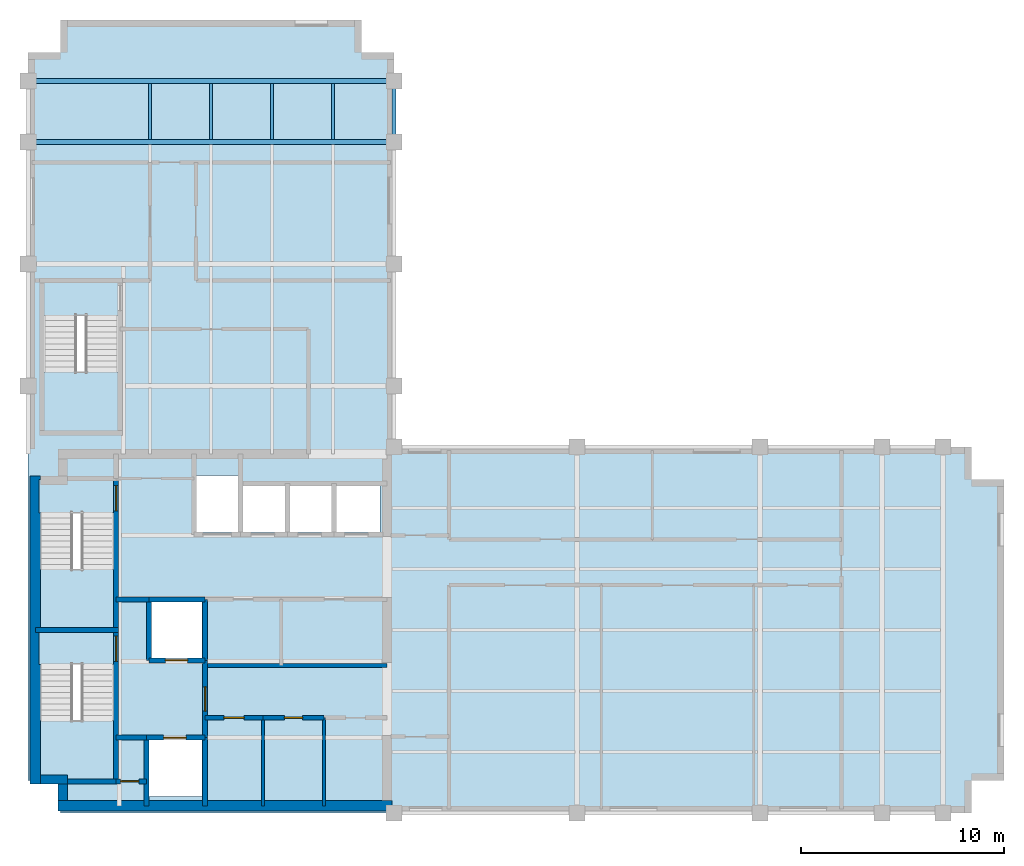
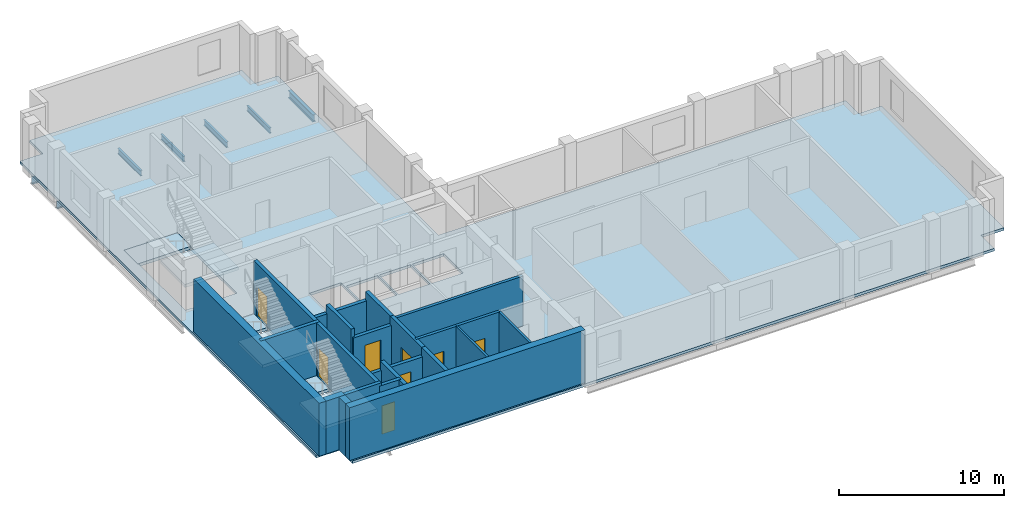
# One storey, part 2 of 6: 24 walls, 8 doors, 7 beams, 7 slabs, 8 openings, 3 elements without a shape of their own.
"""IFC4 building model written with IfcOpenShell, lengths in metres."""

from ifc_helpers import new_model, si_unit, direction, frame, frame_2d, origin, origin_2d, place, context, subcontext, project, spatial, polyline, rectangle, i_section, outline, extrude, material, layer, layer_set, material_profile, profile_set, type_object, element, fill, aggregate, save


model = new_model("IFC4")

# Units and contexts
model_context = context("Model", 3, precision=1e-05, world=origin(), true_north=direction((0.0, 1.0)))
body_context = subcontext(model_context, "Body", "Model", "MODEL_VIEW")
ifc_project = project(units=[si_unit("LENGTHUNIT", "METRE"), si_unit("AREAUNIT", "SQUARE_METRE"), si_unit("VOLUMEUNIT", "CUBIC_METRE"), si_unit("PLANEANGLEUNIT", "RADIAN"), si_unit("MASSUNIT", "GRAM", prefix="KILO")], contexts=[model_context])

# Site, building, storey
site_placement = place(None, origin())
site = spatial("IfcSite", under=ifc_project, at=site_placement, CompositionType="ELEMENT")
building_placement = place(site_placement, origin())
building = spatial("IfcBuilding", under=site, at=building_placement, Name="Mawjdan Bourse Tower", CompositionType="ELEMENT")
storey_placement = place(building_placement, frame((0.0, 0.0, 246.89990234375)))
storey = spatial("IfcBuildingStorey", under=building, at=storey_placement, Name="L60", CompositionType="ELEMENT", Elevation=246.89990234375)

# Beams
ifc_material_1 = material(Name="Structural Steel S355", Category="steel")
ifc_material_profile_1 = material_profile(ifc_material_1, i_section(OverallWidth=0.22998046875, OverallDepth=0.616943359375, WebThickness=0.01318359375, FlangeThickness=0.022216796875, FilletRadius=0.017822265625, at=origin_2d()), Name="W24X94")
ifc_profile_set_1 = profile_set([ifc_material_profile_1], Name="Structural Steel S355")
beam_type_1 = type_object("IfcBeamType", Name="GRD-W24X94", PredefinedType="BEAM", material=ifc_profile_set_1)
for number, where, z_axis, x_axis, name in (
    (1, (6.0, 36.0, -0.50830078125), (1.0, 0.0, 0.0), (0.0, 1.0, 0.0), "L60 North Wing Clear-Span Girder 041"),
    (2, (6.0, 39.0, -0.50830078125), (1.0, 0.0, 0.0), (0.0, 1.0, 0.0), "L60 North Wing Clear-Span Girder 042"),
):
    element("IfcBeam", number, at=place(storey_placement, frame(where, z_axis=z_axis, x_axis=x_axis)), inside=storey, type_object=beam_type_1, Name=name, PredefinedType="BEAM", context=body_context, shape_type="SweptSolid", body=[
        extrude(i_section(OverallWidth=0.22998046875, OverallDepth=0.616943359375, WebThickness=0.01318359375, FlangeThickness=0.022216796875, FilletRadius=0.017822265625, at=origin_2d()), origin(), (0.0, 0.0, 1.0), 18.0),
    ])
ifc_material_profile_2 = material_profile(ifc_material_1, i_section(OverallWidth=0.139892578125, OverallDepth=0.404052734375, WebThickness=0.007080078125, FlangeThickness=0.01123046875, FilletRadius=0.009033203125, at=origin_2d()), Name="W16X31")
ifc_profile_set_2 = profile_set([ifc_material_profile_2], Name="Structural Steel S355")
beam_type_2 = type_object("IfcBeamType", Name="JST-W16X31", PredefinedType="JOIST", material=ifc_profile_set_2)
for number, where, z_axis, x_axis, name in (
    (3, (12.0, 36.113037109375, -0.40185546875), (0.0, 1.0, 0.0), (-1.0, 0.0, 0.0), "L60 North Wing Composite Joist 054"),
    (4, (15.0, 36.113037109375, -0.40185546875), (0.0, 1.0, 0.0), (-1.0, 0.0, 0.0), "L60 North Wing Composite Joist 058"),
    (5, (18.0, 36.113037109375, -0.40185546875), (0.0, 1.0, 0.0), (-1.0, 0.0, 0.0), "L60 North Wing Composite Joist 062"),
    (6, (21.0, 36.113037109375, -0.40185546875), (0.0, 1.0, 0.0), (-1.0, 0.0, 0.0), "L60 North Wing Composite Joist 066"),
):
    element("IfcBeam", number, at=place(storey_placement, frame(where, z_axis=z_axis, x_axis=x_axis)), inside=storey, type_object=beam_type_2, Name=name, PredefinedType="JOIST", context=body_context, shape_type="SweptSolid", body=[
        extrude(i_section(OverallWidth=0.139892578125, OverallDepth=0.404052734375, WebThickness=0.007080078125, FlangeThickness=0.01123046875, FilletRadius=0.009033203125, at=origin_2d()), origin(), (0.0, 0.0, 1.0), 2.77392578125),
    ])
ifc_material_profile_3 = material_profile(ifc_material_1, i_section(OverallWidth=0.2099609375, OverallDepth=0.537109375, WebThickness=0.010986328125, FlangeThickness=0.017333984375, FilletRadius=0.013916015625, at=origin_2d()), Name="W21X68")
ifc_profile_set_3 = profile_set([ifc_material_profile_3], Name="Structural Steel S355")
beam_type_3 = type_object("IfcBeamType", Name="SPN-W21X68", PredefinedType="SPANDREL", material=ifc_profile_set_3)
beam_placement = place(storey_placement, frame((24.0, 36.0, -0.468505859375), z_axis=(0.0, 1.0, 0.0), x_axis=(-1.0, 0.0, 0.0)))
element("IfcBeam", 7, at=beam_placement, inside=storey, type_object=beam_type_3, Name="L60 North Wing Spandrel 050", PredefinedType="SPANDREL", context=body_context, shape_type="SweptSolid", body=[
    extrude(i_section(OverallWidth=0.2099609375, OverallDepth=0.537109375, WebThickness=0.010986328125, FlangeThickness=0.017333984375, FilletRadius=0.013916015625, at=origin_2d()), origin(), (0.0, 0.0, 1.0), 3.0),
])

# Stair, slabs
ifc_material_2 = material(Name="Concrete C50/60", Category="concrete")
stair_type = type_object("IfcStairType", Name="STR-CORE-1500", PredefinedType="HALF_TURN_STAIR", material=ifc_material_2)
stair_1_placement = place(storey_placement, origin())
stair_1 = element("IfcStair", 8, at=stair_1_placement, inside=storey, type_object=stair_type, Name="L60 Exit Stair 1 (Core South-West)", PredefinedType="HALF_TURN_STAIR")
ifc_layer_1 = layer(ifc_material_2, 0.22998046875)
ifc_layer_set_1 = layer_set([ifc_layer_1], Name="Concrete C50/60")
slab_type_1 = type_object("IfcSlabType", Name="SL-LND-230", PredefinedType="LANDING", material=ifc_layer_set_1)
slab_1_placement = place(storey_placement, frame((0.0, 0.0, -0.22998046875)))
slab_1 = element("IfcSlab", 9, at=slab_1_placement, type_object=slab_type_1, Name="ST1-L60 landing 1", PredefinedType="LANDING", context=body_context, shape_type="SweptSolid", body=[
    extrude(outline(polyline([(6.5400390625, 10.31005859375), (10.260009765625, 10.31005859375), (10.260009765625, 11.969970703125), (6.5400390625, 11.969970703125), (6.5400390625, 10.31005859375)])), origin(), (0.0, 0.0, 1.0), 0.22998046875),
])
slab_2_placement = place(storey_placement, frame((0.0, 0.0, 1.72021484375)))
slab_2 = element("IfcSlab", 10, at=slab_2_placement, type_object=slab_type_1, Name="ST1-L60 landing 2", PredefinedType="LANDING", context=body_context, shape_type="SweptSolid", body=[
    extrude(outline(polyline([(6.5400390625, 4.590087890625), (10.260009765625, 4.590087890625), (10.260009765625, 7.5400390625), (6.5400390625, 7.5400390625), (6.5400390625, 4.590087890625)])), origin(), (0.0, 0.0, 1.0), 0.22998046875),
])
aggregate(stair_1, [slab_1, slab_2])

stair_2_placement = place(storey_placement, origin())
stair_2 = element("IfcStair", 11, at=stair_2_placement, inside=storey, type_object=stair_type, Name="L60 Exit Stair 2 (Core North-West)", PredefinedType="HALF_TURN_STAIR")
slab_3_placement = place(storey_placement, frame((0.0, 0.0, -0.22998046875)))
slab_3 = element("IfcSlab", 12, at=slab_3_placement, type_object=slab_type_1, Name="ST2-L60 landing 1", PredefinedType="LANDING", context=body_context, shape_type="SweptSolid", body=[
    extrude(outline(polyline([(6.5400390625, 17.75), (10.260009765625, 17.75), (10.260009765625, 19.409912109375), (6.5400390625, 19.409912109375), (6.5400390625, 17.75)])), origin(), (0.0, 0.0, 1.0), 0.22998046875),
])
slab_4_placement = place(storey_placement, frame((0.0, 0.0, 1.72021484375)))
slab_4 = element("IfcSlab", 13, at=slab_4_placement, type_object=slab_type_1, Name="ST2-L60 landing 2", PredefinedType="LANDING", context=body_context, shape_type="SweptSolid", body=[
    extrude(outline(polyline([(6.5400390625, 12.030029296875), (10.260009765625, 12.030029296875), (10.260009765625, 14.97998046875), (6.5400390625, 14.97998046875), (6.5400390625, 12.030029296875)])), origin(), (0.0, 0.0, 1.0), 0.22998046875),
])
aggregate(stair_2, [slab_3, slab_4])

stair_3_placement = place(storey_placement, origin())
stair_3 = element("IfcStair", 14, at=stair_3_placement, inside=storey, type_object=stair_type, Name="L60 Exit Stair 3 (North Wing)", PredefinedType="HALF_TURN_STAIR")
slab_5_placement = place(storey_placement, frame((0.0, 0.0, -0.22998046875)))
slab_5 = element("IfcSlab", 15, at=slab_5_placement, type_object=slab_type_1, Name="ST3-L60 landing 1", PredefinedType="LANDING", context=body_context, shape_type="SweptSolid", body=[
    extrude(outline(polyline([(6.739990234375, 27.4599609375), (10.4599609375, 27.4599609375), (10.4599609375, 29.1201171875), (6.739990234375, 29.1201171875), (6.739990234375, 27.4599609375)])), origin(), (0.0, 0.0, 1.0), 0.22998046875),
])
slab_6_placement = place(storey_placement, frame((0.0, 0.0, 1.72021484375)))
slab_6 = element("IfcSlab", 16, at=slab_6_placement, type_object=slab_type_1, Name="ST3-L60 landing 2", PredefinedType="LANDING", context=body_context, shape_type="SweptSolid", body=[
    extrude(outline(polyline([(6.739990234375, 21.739990234375), (10.4599609375, 21.739990234375), (10.4599609375, 24.68994140625), (6.739990234375, 24.68994140625), (6.739990234375, 21.739990234375)])), origin(), (0.0, 0.0, 1.0), 0.22998046875),
])
aggregate(stair_3, [slab_5, slab_6])

# Slab
ifc_layer_2 = layer(ifc_material_2, 0.199951171875)
ifc_layer_set_2 = layer_set([ifc_layer_2], Name="Concrete C50/60")
slab_type_2 = type_object("IfcSlabType", Name="SL-OFC-200", PredefinedType="FLOOR", material=ifc_layer_set_2)
slab_7_placement = place(storey_placement, frame((0.0, 0.0, -0.199951171875)))
element("IfcSlab", 17, at=slab_7_placement, inside=storey, type_object=slab_type_2, Name="L60 Structural Floor Slab 1", PredefinedType="FLOOR", context=body_context, shape_type="SweptSolid", body=[
    extrude(outline(polyline([(7.60009765625, 3.0), (52.39990234375, 3.0), (52.39990234375, 4.60009765625), (54.0, 4.60009765625), (54.0, 19.39990234375), (52.39990234375, 19.39990234375), (52.39990234375, 21.0), (24.0, 21.0), (24.0, 40.39990234375), (22.39990234375, 40.39990234375), (22.39990234375, 42.0), (7.60009765625, 42.0), (7.60009765625, 40.39990234375), (6.0, 40.39990234375), (6.0, 4.60009765625), (7.60009765625, 4.60009765625), (7.60009765625, 3.0)]), holes=[polyline([(6.5400390625, 11.969970703125), (10.260009765625, 11.969970703125), (10.260009765625, 10.31005859375), (10.199951171875, 10.31005859375), (10.199951171875, 4.64990234375), (6.60009765625, 4.64990234375), (6.60009765625, 10.31005859375), (6.5400390625, 10.31005859375), (6.5400390625, 11.969970703125)]), polyline([(6.60009765625, 12.090087890625), (6.60009765625, 17.75), (6.5400390625, 17.75), (6.5400390625, 19.409912109375), (10.260009765625, 19.409912109375), (10.260009765625, 17.75), (10.199951171875, 17.75), (10.199951171875, 12.090087890625), (6.60009765625, 12.090087890625)]), polyline([(10.4599609375, 29.1201171875), (10.4599609375, 27.4599609375), (10.39990234375, 27.4599609375), (10.39990234375, 21.800048828125), (6.800048828125, 21.800048828125), (6.800048828125, 27.4599609375), (6.739990234375, 27.4599609375), (6.739990234375, 29.1201171875), (10.4599609375, 29.1201171875)]), polyline([(14.550048828125, 3.800048828125), (11.949951171875, 3.800048828125), (11.949951171875, 6.60009765625), (14.550048828125, 6.60009765625), (14.550048828125, 3.800048828125)]), polyline([(12.050048828125, 10.60009765625), (12.050048828125, 13.39990234375), (14.550048828125, 13.39990234375), (14.550048828125, 10.60009765625), (12.050048828125, 10.60009765625)]), polyline([(16.5, 16.800048828125), (16.5, 19.14990234375), (18.699951171875, 19.14990234375), (18.699951171875, 16.800048828125), (16.5, 16.800048828125)]), polyline([(21.0, 16.800048828125), (18.800048828125, 16.800048828125), (18.800048828125, 19.14990234375), (21.0, 19.14990234375), (21.0, 16.800048828125)]), polyline([(21.10009765625, 16.800048828125), (21.10009765625, 19.14990234375), (23.300048828125, 19.14990234375), (23.300048828125, 16.800048828125), (21.10009765625, 16.800048828125)]), polyline([(14.199951171875, 16.800048828125), (14.199951171875, 19.60009765625), (16.39990234375, 19.60009765625), (16.39990234375, 16.800048828125), (14.199951171875, 16.800048828125)])]), origin(), (0.0, 0.0, 1.0), 0.199951171875),
])

# Wall, opening, door
ifc_material_3 = material(Name="Gypsum Fireboard Assembly")
ifc_layer_3 = layer(ifc_material_3, 0.199951171875)
ifc_layer_set_3 = layer_set([ifc_layer_3], Name="Gypsum Fireboard Assembly")
wall_type_1 = type_object("IfcWallType", Name="WL-CMP-200", PredefinedType="PARTITIONING", material=ifc_layer_set_3)
wall_1_placement = place(storey_placement, frame((14.699951171875, 7.679931640625, 0.0), z_axis=(0.0, 0.0, 1.0), x_axis=(1.0, 0.0, 0.0)))
wall_1 = element("IfcWall", 18, at=wall_1_placement, inside=storey, type_object=wall_type_1, Name="L60 Archive & Records Office North Wall", PredefinedType="PARTITIONING", context=body_context, shape_type="SweptSolid", body=[
    extrude(rectangle(XDim=2.85009765625, YDim=0.199951171875, at=frame_2d((1.425048828125, 0.0))), origin(), (0.0, 0.0, 1.0), 3.690185546875),
])
opening_1_placement = place(wall_1_placement, frame((0.925048828125, 0.0, 0.0)))
opening_1 = element("IfcOpeningElement", 19, at=opening_1_placement, cuts=wall_1, Name="Opening D-L60-13", PredefinedType="OPENING", context=body_context, shape_type="SweptSolid", body=[
    extrude(rectangle(XDim=1.0, YDim=2.14990234375, at=frame_2d((0.5, 1.074951171875))), frame((0.0, 0.10986328125, 0.0), z_axis=(0.0, -1.0, 0.0), x_axis=(1.0, 0.0, 0.0)), (0.0, 0.0, 1.0), 0.219970703125),
])
ifc_material_4 = material(Name="Hardwood Acoustic Leaf", Category="wood")
door_type_1 = type_object("IfcDoorType", Name="DR-OFC-1000", OperationType="NOTDEFINED", PredefinedType="DOOR", material=ifc_material_4)
door_1_placement = place(opening_1_placement, origin())
door_1 = element("IfcDoor", 20, at=door_1_placement, inside=storey, type_object=door_type_1, Name="L60 Archive & Records Office Door D-L60-13", OperationType="SINGLE_SWING_LEFT", OverallHeight=2.14990234375, OverallWidth=1.0, PredefinedType="DOOR", context=body_context, shape_type="SweptSolid", body=[
    extrude(rectangle(XDim=1.0, YDim=2.14990234375, at=frame_2d((0.5, 1.074951171875))), frame((0.0, 0.02490234375, 0.0), z_axis=(0.0, -1.0, 0.0), x_axis=(1.0, 0.0, 0.0)), (0.0, 0.0, 1.0), 0.050048828125),
])
fill(opening_1, door_1)

wall_2_placement = place(storey_placement, frame((17.550048828125, 7.679931640625, 0.0), z_axis=(0.0, 0.0, 1.0), x_axis=(1.0, 0.0, 0.0)))
wall_2 = element("IfcWall", 21, at=wall_2_placement, inside=storey, type_object=wall_type_1, Name="L60 IT & Fiber Patch Room North Wall", PredefinedType="PARTITIONING", context=body_context, shape_type="SweptSolid", body=[
    extrude(rectangle(XDim=3.0, YDim=0.199951171875, at=frame_2d((1.5, 0.0))), origin(), (0.0, 0.0, 1.0), 3.690185546875),
])
opening_2_placement = place(wall_2_placement, frame((1.050048828125, 0.0, 0.0)))
opening_2 = element("IfcOpeningElement", 22, at=opening_2_placement, cuts=wall_2, Name="Opening D-L60-14", PredefinedType="OPENING", context=body_context, shape_type="SweptSolid", body=[
    extrude(rectangle(XDim=0.89990234375, YDim=2.10009765625, at=frame_2d((0.449951171875, 1.050048828125))), frame((0.0, 0.10986328125, 0.0), z_axis=(0.0, -1.0, 0.0), x_axis=(1.0, 0.0, 0.0)), (0.0, 0.0, 1.0), 0.219970703125),
])
ifc_material_5 = material(Name="Fire-Rated Steel Access Leaf", Category="steel")
door_type_2 = type_object("IfcDoorType", Name="FD-RSR-0900", OperationType="NOTDEFINED", PredefinedType="TRAPDOOR", material=ifc_material_5)
door_2_placement = place(opening_2_placement, origin())
door_2 = element("IfcDoor", 23, at=door_2_placement, inside=storey, type_object=door_type_2, Name="L60 IT & Fiber Patch Room Door D-L60-14", OperationType="SINGLE_SWING_RIGHT", OverallHeight=2.10009765625, OverallWidth=0.89990234375, PredefinedType="TRAPDOOR", context=body_context, shape_type="SweptSolid", body=[
    extrude(rectangle(XDim=0.89990234375, YDim=2.10009765625, at=frame_2d((0.449951171875, 1.050048828125))), frame((0.0, 0.02490234375, 0.0), z_axis=(0.0, -1.0, 0.0), x_axis=(1.0, 0.0, 0.0)), (0.0, 0.0, 1.0), 0.050048828125),
])
fill(opening_2, door_2)

# Walls
wall_3_placement = place(storey_placement, frame((14.824951171875, 10.25, 0.0), z_axis=(0.0, 0.0, 1.0), x_axis=(1.0, 0.0, 0.0)))
element("IfcWall", 24, at=wall_3_placement, inside=storey, type_object=wall_type_1, Name="L60 Core Restroom Suite South Wall", PredefinedType="PARTITIONING", context=body_context, shape_type="SweptSolid", body=[
    extrude(rectangle(XDim=8.824951171875, YDim=0.199951171875, at=frame_2d((4.41259765625, 0.0))), origin(), (0.0, 0.0, 1.0), 3.690185546875),
])
ifc_material_6 = material(Name="Concrete C60/75", Category="concrete")
ifc_layer_4 = layer(ifc_material_6, 0.449951171875)
ifc_layer_set_4 = layer_set([ifc_layer_4], Name="Concrete C60/75")
wall_type_2 = type_object("IfcWallType", Name="WL-CORE-450", PredefinedType="SHEAR", material=ifc_layer_set_4)
wall_4_placement = place(storey_placement, frame((6.60009765625, 4.64990234375, 0.0), z_axis=(0.0, 0.0, 1.0), x_axis=(1.0, 0.0, 0.0)))
element("IfcWall", 25, at=wall_4_placement, inside=storey, type_object=wall_type_2, Name="L60 Rear Core Shear Wall SW-X", PredefinedType="SHEAR", context=body_context, shape_type="SweptSolid", body=[
    extrude(rectangle(XDim=1.324951171875, YDim=0.449951171875, at=frame_2d((0.66259765625, 0.0))), origin(), (0.0, 0.0, 1.0), 3.900146484375),
])
wall_5_placement = place(storey_placement, frame((7.699951171875, 3.60009765625, 0.0), z_axis=(0.0, 0.0, 1.0), x_axis=(0.0, 1.0, 0.0)))
element("IfcWall", 26, at=wall_5_placement, inside=storey, type_object=wall_type_2, Name="L60 Rear Core Shear Wall SW-Y", PredefinedType="SHEAR", context=body_context, shape_type="SweptSolid", body=[
    extrude(rectangle(XDim=0.824951171875, YDim=0.449951171875, at=frame_2d((0.41259765625, 0.0))), origin(), (0.0, 0.0, 1.0), 3.900146484375),
])
ifc_layer_5 = layer(ifc_material_6, 0.5)
ifc_layer_set_5 = layer_set([ifc_layer_5], Name="Concrete C60/75")
wall_type_3 = type_object("IfcWallType", Name="WL-CORE-500", PredefinedType="SHEAR", material=ifc_layer_set_5)
wall_6_placement = place(storey_placement, frame((7.47509765625, 3.35009765625, 0.0), z_axis=(0.0, 0.0, 1.0), x_axis=(1.0, 0.0, 0.0)))
element("IfcWall", 27, at=wall_6_placement, inside=storey, type_object=wall_type_3, Name="L60 Rear Core Shear Wall S", PredefinedType="SHEAR", context=body_context, shape_type="SweptSolid", body=[
    extrude(rectangle(XDim=16.4248046875, YDim=0.5, at=frame_2d((8.21240234375, 0.0))), origin(), (0.0, 0.0, 1.0), 3.900146484375),
])
wall_7_placement = place(storey_placement, frame((6.35009765625, 4.425048828125, 0.0), z_axis=(0.0, 0.0, 1.0), x_axis=(0.0, 1.0, 0.0)))
element("IfcWall", 28, at=wall_7_placement, inside=storey, type_object=wall_type_3, Name="L60 Rear Core Shear Wall W", PredefinedType="SHEAR", context=body_context, shape_type="SweptSolid", body=[
    extrude(rectangle(XDim=15.14990234375, YDim=0.5, at=frame_2d((7.574951171875, 0.0))), origin(), (0.0, 0.0, 1.0), 3.900146484375),
])
ifc_material_7 = material(Name="Gypsum Acoustic Partition")
ifc_layer_6 = layer(ifc_material_7, 0.14990234375)
ifc_layer_set_6 = layer_set([ifc_layer_6], Name="Gypsum Acoustic Partition")
wall_type_4 = type_object("IfcWallType", Name="WL-PRT-150", PredefinedType="PARTITIONING", material=ifc_layer_set_6)
for number, where, z_axis, x_axis, name in (
    (29, (17.550048828125, 3.35009765625, 0.0), (0.0, 0.0, 1.0), (0.0, 1.0, 0.0), "L60 IT & Fiber Patch Room Core Split Wall"),
    (30, (20.550048828125, 3.35009765625, 0.0), (0.0, 0.0, 1.0), (0.0, 1.0, 0.0), "L60 Staff Tea Pantry Core Split Wall"),
):
    element("IfcWall", number, at=place(storey_placement, frame(where, z_axis=z_axis, x_axis=x_axis)), inside=storey, type_object=wall_type_4, Name=name, PredefinedType="PARTITIONING", context=body_context, shape_type="SweptSolid", body=[
        extrude(rectangle(XDim=4.329833984375, YDim=0.14990234375, at=frame_2d((2.1650390625, 0.0))), origin(), (0.0, 0.0, 1.0), 3.690185546875),
    ])

# Wall, opening, door
ifc_layer_7 = layer(ifc_material_2, 0.25)
ifc_layer_set_7 = layer_set([ifc_layer_7], Name="Concrete C50/60")
wall_type_5 = type_object("IfcWallType", Name="WL-SHFT-250", PredefinedType="PARTITIONING", material=ifc_layer_set_7)
wall_8_placement = place(storey_placement, frame((10.330078125, 4.550048828125, 0.0), z_axis=(0.0, 0.0, 1.0), x_axis=(1.0, 0.0, 0.0)))
wall_8 = element("IfcWall", 31, at=wall_8_placement, inside=storey, type_object=wall_type_5, Name="L60 SW Riser North Wall", PredefinedType="PARTITIONING", context=body_context, shape_type="SweptSolid", body=[
    extrude(rectangle(XDim=1.489990234375, YDim=0.25, at=frame_2d((0.7451171875, 0.0))), origin(), (0.0, 0.0, 1.0), 3.690185546875),
])
opening_3_placement = place(wall_8_placement, frame((0.219970703125, 0.0, 0.0)))
opening_3 = element("IfcOpeningElement", 32, at=opening_3_placement, cuts=wall_8, Name="Opening RD-L60-03", PredefinedType="OPENING", context=body_context, shape_type="SweptSolid", body=[
    extrude(rectangle(XDim=0.89990234375, YDim=2.10009765625, at=frame_2d((0.449951171875, 1.050048828125))), frame((0.0, 0.135009765625, 0.0), z_axis=(0.0, -1.0, 0.0), x_axis=(1.0, 0.0, 0.0)), (0.0, 0.0, 1.0), 0.27001953125),
])
door_3_placement = place(opening_3_placement, origin())
door_3 = element("IfcDoor", 33, at=door_3_placement, inside=storey, type_object=door_type_2, Name="L60 Electrical Riser Access Door RD-L60-03", OperationType="SINGLE_SWING_LEFT", OverallHeight=2.10009765625, OverallWidth=0.89990234375, PredefinedType="TRAPDOOR", context=body_context, shape_type="SweptSolid", body=[
    extrude(rectangle(XDim=0.89990234375, YDim=2.10009765625, at=frame_2d((0.449951171875, 1.050048828125))), frame((0.0, 0.02490234375, 0.0), z_axis=(0.0, -1.0, 0.0), x_axis=(1.0, 0.0, 0.0)), (0.0, 0.0, 1.0), 0.050048828125),
])
fill(opening_3, door_3)

# Wall
wall_9_placement = place(storey_placement, frame((11.820068359375, 3.35009765625, 0.0), z_axis=(0.0, 0.0, 1.0), x_axis=(0.0, 1.0, 0.0)))
element("IfcWall", 34, at=wall_9_placement, inside=storey, type_object=wall_type_5, Name="L60 SW Riser & FFL01 West Wall", PredefinedType="PARTITIONING", context=body_context, shape_type="SweptSolid", body=[
    extrude(rectangle(XDim=3.349853515625, YDim=0.25, at=frame_2d((1.6748046875, 0.0))), origin(), (0.0, 0.0, 1.0), 3.690185546875),
])

# Wall, opening, door
wall_10_placement = place(storey_placement, frame((11.820068359375, 6.699951171875, 0.0), z_axis=(0.0, 0.0, 1.0), x_axis=(1.0, 0.0, 0.0)))
wall_10 = element("IfcWall", 35, at=wall_10_placement, inside=storey, type_object=wall_type_5, Name="L60 FFL-01 Front Shaft Wall", PredefinedType="PARTITIONING", context=body_context, shape_type="SweptSolid", body=[
    extrude(rectangle(XDim=2.8798828125, YDim=0.25, at=frame_2d((1.43994140625, 0.0))), origin(), (0.0, 0.0, 1.0), 3.072998046875),
])
opening_4_placement = place(wall_10_placement, frame((0.85009765625, 0.0, 0.0)))
opening_4 = element("IfcOpeningElement", 36, at=opening_4_placement, cuts=wall_10, Name="Opening LD-L60-05", PredefinedType="OPENING", context=body_context, shape_type="SweptSolid", body=[
    extrude(rectangle(XDim=1.10009765625, YDim=2.25, at=frame_2d((0.550048828125, 1.125))), frame((0.0, 0.135009765625, 0.0), z_axis=(0.0, -1.0, 0.0), x_axis=(1.0, 0.0, 0.0)), (0.0, 0.0, 1.0), 0.27001953125),
])
ifc_material_8 = material(Name="Brushed Stainless Steel", Category="steel")
door_type_3 = type_object("IfcDoorType", Name="LD-FFL-1100", OperationType="DOUBLE_DOOR_SLIDING", PredefinedType="DOOR", material=ifc_material_8)
door_4_placement = place(opening_4_placement, origin())
door_4 = element("IfcDoor", 37, at=door_4_placement, inside=storey, type_object=door_type_3, Name="L60 Firefighting Lift FFL-01 Landing Door LD-L60-05", OperationType="DOUBLE_DOOR_SLIDING", OverallHeight=2.25, OverallWidth=1.10009765625, PredefinedType="DOOR", context=body_context, shape_type="SweptSolid", body=[
    extrude(rectangle(XDim=1.10009765625, YDim=2.25, at=frame_2d((0.550048828125, 1.125))), frame((0.0, 0.02490234375, 0.0), z_axis=(0.0, -1.0, 0.0), x_axis=(1.0, 0.0, 0.0)), (0.0, 0.0, 1.0), 0.050048828125),
])
fill(opening_4, door_4)

# Wall
wall_11_placement = place(storey_placement, frame((14.699951171875, 3.35009765625, 0.0), z_axis=(0.0, 0.0, 1.0), x_axis=(0.0, 1.0, 0.0)))
element("IfcWall", 38, at=wall_11_placement, inside=storey, type_object=wall_type_5, Name="L60 FFL-01 East Shaft Wall", PredefinedType="PARTITIONING", context=body_context, shape_type="SweptSolid", body=[
    extrude(rectangle(XDim=3.349853515625, YDim=0.25, at=frame_2d((1.6748046875, 0.0))), origin(), (0.0, 0.0, 1.0), 3.690185546875),
])

# Wall, opening, door
wall_12_placement = place(storey_placement, frame((11.949951171875, 10.5, 0.0), z_axis=(0.0, 0.0, 1.0), x_axis=(1.0, 0.0, 0.0)))
wall_12 = element("IfcWall", 39, at=wall_12_placement, inside=storey, type_object=wall_type_5, Name="L60 FFL-02 Front Shaft Wall", PredefinedType="PARTITIONING", context=body_context, shape_type="SweptSolid", body=[
    extrude(rectangle(XDim=2.75, YDim=0.25, at=frame_2d((1.375, 0.0))), origin(), (0.0, 0.0, 1.0), 3.072998046875),
])
opening_5_placement = place(wall_12_placement, frame((0.800048828125, 0.0, 0.0)))
opening_5 = element("IfcOpeningElement", 40, at=opening_5_placement, cuts=wall_12, Name="Opening LD-L60-06", PredefinedType="OPENING", context=body_context, shape_type="SweptSolid", body=[
    extrude(rectangle(XDim=1.10009765625, YDim=2.25, at=frame_2d((0.550048828125, 1.125))), frame((0.0, 0.135009765625, 0.0), z_axis=(0.0, -1.0, 0.0), x_axis=(1.0, 0.0, 0.0)), (0.0, 0.0, 1.0), 0.27001953125),
])
door_5_placement = place(opening_5_placement, origin())
door_5 = element("IfcDoor", 41, at=door_5_placement, inside=storey, type_object=door_type_3, Name="L60 Firefighting Lift FFL-02 Landing Door LD-L60-06", OperationType="DOUBLE_DOOR_SLIDING", OverallHeight=2.25, OverallWidth=1.10009765625, PredefinedType="DOOR", context=body_context, shape_type="SweptSolid", body=[
    extrude(rectangle(XDim=1.10009765625, YDim=2.25, at=frame_2d((0.550048828125, 1.125))), frame((0.0, 0.02490234375, 0.0), z_axis=(0.0, -1.0, 0.0), x_axis=(1.0, 0.0, 0.0)), (0.0, 0.0, 1.0), 0.050048828125),
])
fill(opening_5, door_5)

# Walls
wall_13_placement = place(storey_placement, frame((11.949951171875, 10.5, 0.0), z_axis=(0.0, 0.0, 1.0), x_axis=(0.0, 1.0, 0.0)))
element("IfcWall", 42, at=wall_13_placement, inside=storey, type_object=wall_type_5, Name="L60 FFL-02 West Shaft Wall", PredefinedType="PARTITIONING", context=body_context, shape_type="SweptSolid", body=[
    extrude(rectangle(XDim=3.0, YDim=0.25, at=frame_2d((1.5, 0.0))), origin(), (0.0, 0.0, 1.0), 3.690185546875),
])
wall_14_placement = place(storey_placement, frame((11.949951171875, 13.5, 0.0), z_axis=(0.0, 0.0, 1.0), x_axis=(1.0, 0.0, 0.0)))
element("IfcWall", 43, at=wall_14_placement, inside=storey, type_object=wall_type_5, Name="L60 FFL-02 North Shaft Wall", PredefinedType="PARTITIONING", context=body_context, shape_type="SweptSolid", body=[
    extrude(rectangle(XDim=2.75, YDim=0.25, at=frame_2d((1.375, 0.0))), origin(), (0.0, 0.0, 1.0), 3.072998046875),
])
wall_15_placement = place(storey_placement, frame((14.699951171875, 10.5, 0.0), z_axis=(0.0, 0.0, 1.0), x_axis=(0.0, 1.0, 0.0)))
element("IfcWall", 44, at=wall_15_placement, inside=storey, type_object=wall_type_5, Name="L60 FFL-02 East Shaft Wall", PredefinedType="PARTITIONING", context=body_context, shape_type="SweptSolid", body=[
    extrude(rectangle(XDim=3.0, YDim=0.25, at=frame_2d((1.5, 0.0))), origin(), (0.0, 0.0, 1.0), 3.690185546875),
])

# Wall, opening, door
wall_16_placement = place(storey_placement, frame((14.699951171875, 6.699951171875, 0.0), z_axis=(0.0, 0.0, 1.0), x_axis=(0.0, 1.0, 0.0)))
wall_16 = element("IfcWall", 45, at=wall_16_placement, inside=storey, type_object=wall_type_5, Name="L60 Firefighting Lobby East Compartment Wall", PredefinedType="PARTITIONING", context=body_context, shape_type="SweptSolid", body=[
    extrude(rectangle(XDim=3.800048828125, YDim=0.25, at=frame_2d((1.89990234375, 0.0))), origin(), (0.0, 0.0, 1.0), 3.690185546875),
])
opening_6_placement = place(wall_16_placement, frame((1.300048828125, 0.0, 0.0)))
opening_6 = element("IfcOpeningElement", 46, at=opening_6_placement, cuts=wall_16, Name="Opening FD-L60-07", PredefinedType="OPENING", context=body_context, shape_type="SweptSolid", body=[
    extrude(rectangle(XDim=1.199951171875, YDim=2.199951171875, at=frame_2d((0.60009765625, 1.10009765625))), frame((0.0, 0.135009765625, 0.0), z_axis=(0.0, -1.0, 0.0), x_axis=(1.0, 0.0, 0.0)), (0.0, 0.0, 1.0), 0.27001953125),
])
ifc_material_9 = material(Name="Fire-Rated Steel Leaf", Category="steel")
door_type_4 = type_object("IfcDoorType", Name="FD-FFL-1200", OperationType="NOTDEFINED", PredefinedType="DOOR", material=ifc_material_9)
door_6_placement = place(opening_6_placement, origin())
door_6 = element("IfcDoor", 47, at=door_6_placement, inside=storey, type_object=door_type_4, Name="L60 Firefighting Lobby East Smoke Door FD-L60-07", OperationType="SINGLE_SWING_LEFT", OverallHeight=2.199951171875, OverallWidth=1.199951171875, PredefinedType="DOOR", context=body_context, shape_type="SweptSolid", body=[
    extrude(rectangle(XDim=1.199951171875, YDim=2.199951171875, at=frame_2d((0.60009765625, 1.10009765625))), frame((0.0, 0.02490234375, 0.0), z_axis=(0.0, -1.0, 0.0), x_axis=(1.0, 0.0, 0.0)), (0.0, 0.0, 1.0), 0.050048828125),
])
fill(opening_6, door_6)

# Walls
wall_17_placement = place(storey_placement, frame((10.330078125, 13.5, 0.0), z_axis=(0.0, 0.0, 1.0), x_axis=(1.0, 0.0, 0.0)))
element("IfcWall", 48, at=wall_17_placement, inside=storey, type_object=wall_type_5, Name="L60 Firefighting Lobby North Compartment Wall", PredefinedType="PARTITIONING", context=body_context, shape_type="SweptSolid", body=[
    extrude(rectangle(XDim=1.619873046875, YDim=0.25, at=frame_2d((0.81005859375, 0.0))), origin(), (0.0, 0.0, 1.0), 3.072998046875),
])
wall_18_placement = place(storey_placement, frame((10.330078125, 6.699951171875, 0.0), z_axis=(0.0, 0.0, 1.0), x_axis=(1.0, 0.0, 0.0)))
element("IfcWall", 49, at=wall_18_placement, inside=storey, type_object=wall_type_5, Name="L60 Firefighting Lobby South Closure Wall", PredefinedType="PARTITIONING", context=body_context, shape_type="SweptSolid", body=[
    extrude(rectangle(XDim=1.489990234375, YDim=0.25, at=frame_2d((0.7451171875, 0.0))), origin(), (0.0, 0.0, 1.0), 3.072998046875),
])
ifc_layer_8 = layer(ifc_material_2, 0.25)
ifc_layer_set_8 = layer_set([ifc_layer_8], Name="Concrete C50/60")
wall_type_6 = type_object("IfcWallType", Name="WL-STRW-250", PredefinedType="SHEAR", material=ifc_layer_set_8)
wall_19_placement = place(storey_placement, frame((6.35009765625, 12.0, 0.0), z_axis=(0.0, 0.0, 1.0), x_axis=(1.0, 0.0, 0.0)))
element("IfcWall", 50, at=wall_19_placement, inside=storey, type_object=wall_type_6, Name="L60 Stairwell Dividing Shaft Wall", PredefinedType="SHEAR", context=body_context, shape_type="SweptSolid", body=[
    extrude(rectangle(XDim=4.10498046875, YDim=0.25, at=frame_2d((2.052490234375, 0.0))), origin(), (0.0, 0.0, 1.0), 3.900146484375),
])
wall_20_placement = place(storey_placement, frame((7.699951171875, 4.550048828125, 0.0), z_axis=(0.0, 0.0, 1.0), x_axis=(1.0, 0.0, 0.0)))
element("IfcWall", 51, at=wall_20_placement, inside=storey, type_object=wall_type_6, Name="L60 Stairwell ST1 South Shaft Wall", PredefinedType="SHEAR", context=body_context, shape_type="SweptSolid", body=[
    extrude(rectangle(XDim=2.755126953125, YDim=0.25, at=frame_2d((1.37744140625, 0.0))), origin(), (0.0, 0.0, 1.0), 3.900146484375),
])

# Wall, opening, door
wall_21_placement = place(storey_placement, frame((10.330078125, 4.550048828125, 0.0), z_axis=(0.0, 0.0, 1.0), x_axis=(0.0, 1.0, 0.0)))
wall_21 = element("IfcWall", 52, at=wall_21_placement, inside=storey, type_object=wall_type_6, Name="L60 Stairwell ST1 East Enclosure Wall", PredefinedType="SHEAR", context=body_context, shape_type="SweptSolid", body=[
    extrude(rectangle(XDim=7.449951171875, YDim=0.25, at=frame_2d((3.72509765625, 0.0))), origin(), (0.0, 0.0, 1.0), 3.900146484375),
])
opening_7_placement = place(wall_21_placement, frame((5.89990234375, 0.0, 0.0)))
opening_7 = element("IfcOpeningElement", 53, at=opening_7_placement, cuts=wall_21, Name="Opening SD-L60-01", PredefinedType="OPENING", context=body_context, shape_type="SweptSolid", body=[
    extrude(rectangle(XDim=1.25, YDim=2.199951171875, at=frame_2d((0.625, 1.10009765625))), frame((0.0, 0.135009765625, 0.0), z_axis=(0.0, -1.0, 0.0), x_axis=(1.0, 0.0, 0.0)), (0.0, 0.0, 1.0), 0.27001953125),
])
door_type_5 = type_object("IfcDoorType", Name="FD-ST-1250", OperationType="NOTDEFINED", PredefinedType="DOOR", material=ifc_material_9)
door_7_placement = place(opening_7_placement, origin())
door_7 = element("IfcDoor", 54, at=door_7_placement, inside=storey, type_object=door_type_5, Name="L60 Exit Stair ST1 Fire Door SD-L60-01", OperationType="SINGLE_SWING_LEFT", OverallHeight=2.199951171875, OverallWidth=1.25, PredefinedType="DOOR", context=body_context, shape_type="SweptSolid", body=[
    extrude(rectangle(XDim=1.25, YDim=2.199951171875, at=frame_2d((0.625, 1.10009765625))), frame((0.0, 0.02490234375, 0.0), z_axis=(0.0, -1.0, 0.0), x_axis=(1.0, 0.0, 0.0)), (0.0, 0.0, 1.0), 0.050048828125),
])
fill(opening_7, door_7)

wall_22_placement = place(storey_placement, frame((10.330078125, 12.0, 0.0), z_axis=(0.0, 0.0, 1.0), x_axis=(0.0, 1.0, 0.0)))
wall_22 = element("IfcWall", 55, at=wall_22_placement, inside=storey, type_object=wall_type_6, Name="L60 Stairwell ST2 East Enclosure Wall", PredefinedType="SHEAR", context=body_context, shape_type="SweptSolid", body=[
    extrude(rectangle(XDim=7.449951171875, YDim=0.25, at=frame_2d((3.72509765625, 0.0))), origin(), (0.0, 0.0, 1.0), 3.900146484375),
])
opening_8_placement = place(wall_22_placement, frame((5.85009765625, 0.0, 0.0)))
opening_8 = element("IfcOpeningElement", 56, at=opening_8_placement, cuts=wall_22, Name="Opening SD-L60-02", PredefinedType="OPENING", context=body_context, shape_type="SweptSolid", body=[
    extrude(rectangle(XDim=1.25, YDim=2.199951171875, at=frame_2d((0.625, 1.10009765625))), frame((0.0, 0.135009765625, 0.0), z_axis=(0.0, -1.0, 0.0), x_axis=(1.0, 0.0, 0.0)), (0.0, 0.0, 1.0), 0.27001953125),
])
door_8_placement = place(opening_8_placement, origin())
door_8 = element("IfcDoor", 57, at=door_8_placement, inside=storey, type_object=door_type_5, Name="L60 Exit Stair ST2 Fire Door SD-L60-02", OperationType="SINGLE_SWING_RIGHT", OverallHeight=2.199951171875, OverallWidth=1.25, PredefinedType="DOOR", context=body_context, shape_type="SweptSolid", body=[
    extrude(rectangle(XDim=1.25, YDim=2.199951171875, at=frame_2d((0.625, 1.10009765625))), frame((0.0, 0.02490234375, 0.0), z_axis=(0.0, -1.0, 0.0), x_axis=(1.0, 0.0, 0.0)), (0.0, 0.0, 1.0), 0.050048828125),
])
fill(opening_8, door_8)

save(model, "model.ifc")
